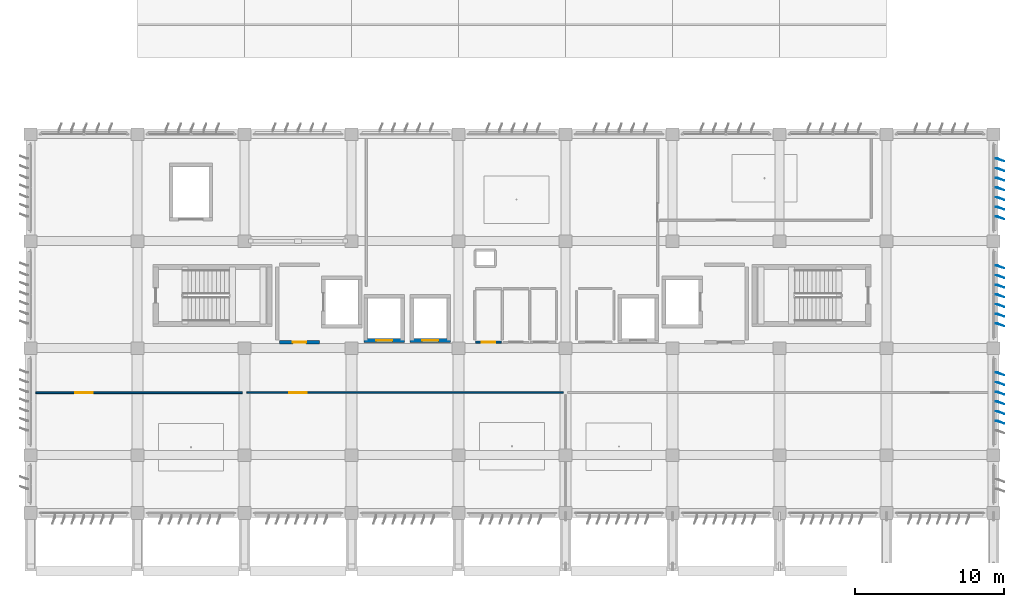
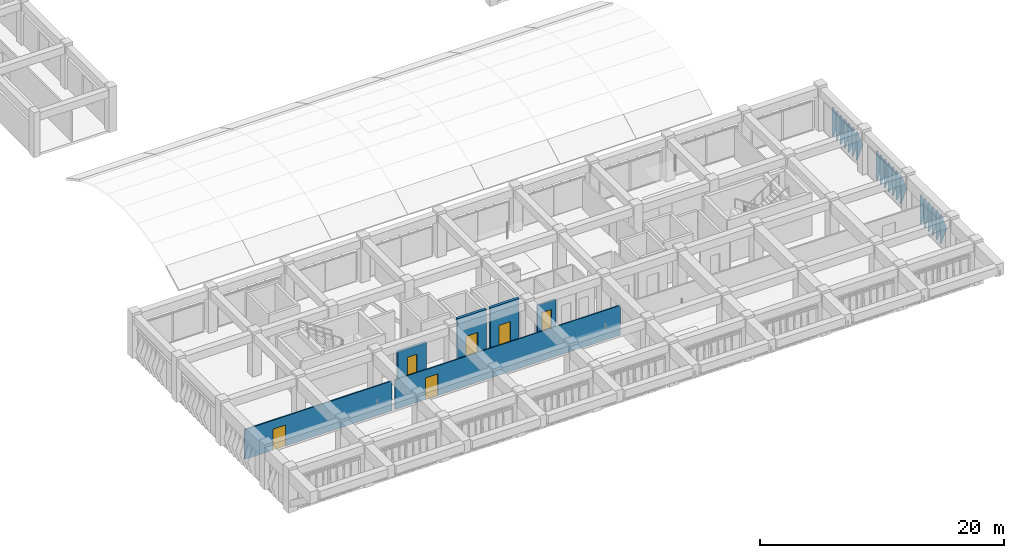
# One storey, part 35 of 56: 20 plates, 6 doors, 6 walls, 6 openings.
"""IFC4 building model written with IfcOpenShell, lengths in metres."""

from ifc_helpers import new_model, si_unit, direction, frame, frame_2d, origin, place, context, subcontext, project, spatial, rectangle, extrude, polygons, material, layer, layer_set, type_object, element, fill, save


model = new_model("IFC4")

# Units and contexts
model_context = context("Model", 3, precision=1e-05, world=origin(), true_north=direction((0.0, 1.0)))
body_context = subcontext(model_context, "Body", "Model", "MODEL_VIEW")
ifc_project = project(units=[si_unit("LENGTHUNIT", "METRE"), si_unit("AREAUNIT", "SQUARE_METRE"), si_unit("VOLUMEUNIT", "CUBIC_METRE"), si_unit("PLANEANGLEUNIT", "RADIAN"), si_unit("MASSUNIT", "GRAM", prefix="KILO")], contexts=[model_context])

# Site, building, storey
site_placement = place(None, origin())
site = spatial("IfcSite", under=ifc_project, at=site_placement, CompositionType="ELEMENT")
building_placement = place(site_placement, origin())
building = spatial("IfcBuilding", under=site, at=building_placement, Name="Kazehaya Institute of Natural Sciences", CompositionType="ELEMENT")
storey_placement = place(building_placement, frame((0.0, 0.0, 24.300048828125)))
storey = spatial("IfcBuildingStorey", under=building, at=storey_placement, Name="L05", CompositionType="ELEMENT", Elevation=24.300048828125)

# Plates
ifc_material_1 = material(Name="Bronze-anodised aluminium alloy A6063S-T5", Category="aluminium")
ifc_layer_1 = layer(ifc_material_1, 0.02001953125, Name="Bronze-anodised aluminium alloy A6063S-T5", Category="aluminium")
ifc_layer_set_1 = layer_set([ifc_layer_1], Name="Bronze-anodised aluminium alloy A6063S-T5")
plate_type = type_object("IfcPlateType", Name="FIN-DF-E1", PredefinedType="USERDEFINED", material=ifc_layer_set_1)
plate_1_placement = place(storey_placement, origin())
element("IfcPlate", 1, at=plate_1_placement, inside=storey, type_object=plate_type, Name="L05 folded diamond-pyramid shading fin FIN-L05-E-0351", ObjectType="SHADING_FIN", PredefinedType="USERDEFINED", context=body_context, shape_type="Tessellation", body=[
    polygons([(119.554931640625, 19.56005859375, 0.0400390625), (119.699951171875, 19.56005859375, 0.0400390625), (120.110107421875, 19.38134765625, 1.5), (119.699951171875, 19.56005859375, 2.9599609375), (119.554931640625, 19.56005859375, 2.9599609375), (119.554931640625, 19.5400390625, 0.0400390625), (119.699951171875, 19.5400390625, 0.0400390625), (120.110107421875, 19.361328125, 1.5), (119.699951171875, 19.5400390625, 2.9599609375), (119.554931640625, 19.5400390625, 2.9599609375)], [[[1, 5, 4, 3, 2]], [[6, 7, 8, 9, 10]], [[1, 2, 7, 6]], [[2, 3, 8, 7]], [[3, 4, 9, 8]], [[4, 5, 10, 9]], [[5, 1, 6, 10]]], closed=True),
])
plate_2_placement = place(storey_placement, origin())
element("IfcPlate", 2, at=plate_2_placement, inside=storey, type_object=plate_type, Name="L05 folded diamond-pyramid shading fin FIN-L05-E-0352", ObjectType="SHADING_FIN", PredefinedType="USERDEFINED", context=body_context, shape_type="Tessellation", body=[
    polygons([(119.554931640625, 18.909912109375, 0.0400390625), (119.699951171875, 18.909912109375, 0.0400390625), (120.110107421875, 18.731201171875, 1.5), (119.699951171875, 18.909912109375, 2.9599609375), (119.554931640625, 18.909912109375, 2.9599609375), (119.554931640625, 18.889892578125, 0.0400390625), (119.699951171875, 18.889892578125, 0.0400390625), (120.110107421875, 18.711181640625, 1.5), (119.699951171875, 18.889892578125, 2.9599609375), (119.554931640625, 18.889892578125, 2.9599609375)], [[[1, 5, 4, 3, 2]], [[6, 7, 8, 9, 10]], [[1, 2, 7, 6]], [[2, 3, 8, 7]], [[3, 4, 9, 8]], [[4, 5, 10, 9]], [[5, 1, 6, 10]]], closed=True),
])
plate_3_placement = place(storey_placement, origin())
element("IfcPlate", 3, at=plate_3_placement, inside=storey, type_object=plate_type, Name="L05 folded diamond-pyramid shading fin FIN-L05-E-0353", ObjectType="SHADING_FIN", PredefinedType="USERDEFINED", context=body_context, shape_type="Tessellation", body=[
    polygons([(119.554931640625, 18.260009765625, 0.0400390625), (119.699951171875, 18.260009765625, 0.0400390625), (120.110107421875, 18.081298828125, 1.5), (119.699951171875, 18.260009765625, 2.9599609375), (119.554931640625, 18.260009765625, 2.9599609375), (119.554931640625, 18.239990234375, 0.0400390625), (119.699951171875, 18.239990234375, 0.0400390625), (120.110107421875, 18.061279296875, 1.5), (119.699951171875, 18.239990234375, 2.9599609375), (119.554931640625, 18.239990234375, 2.9599609375)], [[[1, 5, 4, 3, 2]], [[6, 7, 8, 9, 10]], [[1, 2, 7, 6]], [[2, 3, 8, 7]], [[3, 4, 9, 8]], [[4, 5, 10, 9]], [[5, 1, 6, 10]]], closed=True),
])
plate_4_placement = place(storey_placement, origin())
element("IfcPlate", 4, at=plate_4_placement, inside=storey, type_object=plate_type, Name="L05 folded diamond-pyramid shading fin FIN-L05-E-0354", ObjectType="SHADING_FIN", PredefinedType="USERDEFINED", context=body_context, shape_type="Tessellation", body=[
    polygons([(119.554931640625, 17.610107421875, 0.0400390625), (119.699951171875, 17.610107421875, 0.0400390625), (120.110107421875, 17.431396484375, 1.5), (119.699951171875, 17.610107421875, 2.9599609375), (119.554931640625, 17.610107421875, 2.9599609375), (119.554931640625, 17.590087890625, 0.0400390625), (119.699951171875, 17.590087890625, 0.0400390625), (120.110107421875, 17.411376953125, 1.5), (119.699951171875, 17.590087890625, 2.9599609375), (119.554931640625, 17.590087890625, 2.9599609375)], [[[1, 5, 4, 3, 2]], [[6, 7, 8, 9, 10]], [[1, 2, 7, 6]], [[2, 3, 8, 7]], [[3, 4, 9, 8]], [[4, 5, 10, 9]], [[5, 1, 6, 10]]], closed=True),
])
plate_5_placement = place(storey_placement, origin())
element("IfcPlate", 5, at=plate_5_placement, inside=storey, type_object=plate_type, Name="L05 folded diamond-pyramid shading fin FIN-L05-E-0355", ObjectType="SHADING_FIN", PredefinedType="USERDEFINED", context=body_context, shape_type="Tessellation", body=[
    polygons([(119.554931640625, 16.9599609375, 0.0400390625), (119.699951171875, 16.9599609375, 0.0400390625), (120.110107421875, 16.78125, 1.5), (119.699951171875, 16.9599609375, 2.9599609375), (119.554931640625, 16.9599609375, 2.9599609375), (119.554931640625, 16.93994140625, 0.0400390625), (119.699951171875, 16.93994140625, 0.0400390625), (120.110107421875, 16.76123046875, 1.5), (119.699951171875, 16.93994140625, 2.9599609375), (119.554931640625, 16.93994140625, 2.9599609375)], [[[1, 5, 4, 3, 2]], [[6, 7, 8, 9, 10]], [[1, 2, 7, 6]], [[2, 3, 8, 7]], [[3, 4, 9, 8]], [[4, 5, 10, 9]], [[5, 1, 6, 10]]], closed=True),
])
plate_6_placement = place(storey_placement, origin())
element("IfcPlate", 6, at=plate_6_placement, inside=storey, type_object=plate_type, Name="L05 folded diamond-pyramid shading fin FIN-L05-E-0356", ObjectType="SHADING_FIN", PredefinedType="USERDEFINED", context=body_context, shape_type="Tessellation", body=[
    polygons([(119.554931640625, 16.31005859375, 0.0400390625), (119.699951171875, 16.31005859375, 0.0400390625), (120.110107421875, 16.13134765625, 1.5), (119.699951171875, 16.31005859375, 2.9599609375), (119.554931640625, 16.31005859375, 2.9599609375), (119.554931640625, 16.2900390625, 0.0400390625), (119.699951171875, 16.2900390625, 0.0400390625), (120.110107421875, 16.111328125, 1.5), (119.699951171875, 16.2900390625, 2.9599609375), (119.554931640625, 16.2900390625, 2.9599609375)], [[[1, 5, 4, 3, 2]], [[6, 7, 8, 9, 10]], [[1, 2, 7, 6]], [[2, 3, 8, 7]], [[3, 4, 9, 8]], [[4, 5, 10, 9]], [[5, 1, 6, 10]]], closed=True),
])
plate_7_placement = place(storey_placement, origin())
element("IfcPlate", 7, at=plate_7_placement, inside=storey, type_object=plate_type, Name="L05 folded diamond-pyramid shading fin FIN-L05-E-0365", ObjectType="SHADING_FIN", PredefinedType="USERDEFINED", context=body_context, shape_type="Tessellation", body=[
    polygons([(119.554931640625, 26.760009765625, 0.0400390625), (119.699951171875, 26.760009765625, 0.0400390625), (120.110107421875, 26.581298828125, 1.5), (119.699951171875, 26.760009765625, 2.9599609375), (119.554931640625, 26.760009765625, 2.9599609375), (119.554931640625, 26.739990234375, 0.0400390625), (119.699951171875, 26.739990234375, 0.0400390625), (120.110107421875, 26.561279296875, 1.5), (119.699951171875, 26.739990234375, 2.9599609375), (119.554931640625, 26.739990234375, 2.9599609375)], [[[1, 5, 4, 3, 2]], [[6, 7, 8, 9, 10]], [[1, 2, 7, 6]], [[2, 3, 8, 7]], [[3, 4, 9, 8]], [[4, 5, 10, 9]], [[5, 1, 6, 10]]], closed=True),
])
plate_8_placement = place(storey_placement, origin())
element("IfcPlate", 8, at=plate_8_placement, inside=storey, type_object=plate_type, Name="L05 folded diamond-pyramid shading fin FIN-L05-E-0366", ObjectType="SHADING_FIN", PredefinedType="USERDEFINED", context=body_context, shape_type="Tessellation", body=[
    polygons([(119.554931640625, 26.110107421875, 0.0400390625), (119.699951171875, 26.110107421875, 0.0400390625), (120.110107421875, 25.931396484375, 1.5), (119.699951171875, 26.110107421875, 2.9599609375), (119.554931640625, 26.110107421875, 2.9599609375), (119.554931640625, 26.090087890625, 0.0400390625), (119.699951171875, 26.090087890625, 0.0400390625), (120.110107421875, 25.911376953125, 1.5), (119.699951171875, 26.090087890625, 2.9599609375), (119.554931640625, 26.090087890625, 2.9599609375)], [[[1, 5, 4, 3, 2]], [[6, 7, 8, 9, 10]], [[1, 2, 7, 6]], [[2, 3, 8, 7]], [[3, 4, 9, 8]], [[4, 5, 10, 9]], [[5, 1, 6, 10]]], closed=True),
])
plate_9_placement = place(storey_placement, origin())
element("IfcPlate", 9, at=plate_9_placement, inside=storey, type_object=plate_type, Name="L05 folded diamond-pyramid shading fin FIN-L05-E-0367", ObjectType="SHADING_FIN", PredefinedType="USERDEFINED", context=body_context, shape_type="Tessellation", body=[
    polygons([(119.554931640625, 25.4599609375, 0.0400390625), (119.699951171875, 25.4599609375, 0.0400390625), (120.110107421875, 25.28125, 1.5), (119.699951171875, 25.4599609375, 2.9599609375), (119.554931640625, 25.4599609375, 2.9599609375), (119.554931640625, 25.43994140625, 0.0400390625), (119.699951171875, 25.43994140625, 0.0400390625), (120.110107421875, 25.26123046875, 1.5), (119.699951171875, 25.43994140625, 2.9599609375), (119.554931640625, 25.43994140625, 2.9599609375)], [[[1, 5, 4, 3, 2]], [[6, 7, 8, 9, 10]], [[1, 2, 7, 6]], [[2, 3, 8, 7]], [[3, 4, 9, 8]], [[4, 5, 10, 9]], [[5, 1, 6, 10]]], closed=True),
])
plate_10_placement = place(storey_placement, origin())
element("IfcPlate", 10, at=plate_10_placement, inside=storey, type_object=plate_type, Name="L05 folded diamond-pyramid shading fin FIN-L05-E-0368", ObjectType="SHADING_FIN", PredefinedType="USERDEFINED", context=body_context, shape_type="Tessellation", body=[
    polygons([(119.554931640625, 24.81005859375, 0.0400390625), (119.699951171875, 24.81005859375, 0.0400390625), (120.110107421875, 24.63134765625, 1.5), (119.699951171875, 24.81005859375, 2.9599609375), (119.554931640625, 24.81005859375, 2.9599609375), (119.554931640625, 24.7900390625, 0.0400390625), (119.699951171875, 24.7900390625, 0.0400390625), (120.110107421875, 24.611328125, 1.5), (119.699951171875, 24.7900390625, 2.9599609375), (119.554931640625, 24.7900390625, 2.9599609375)], [[[1, 5, 4, 3, 2]], [[6, 7, 8, 9, 10]], [[1, 2, 7, 6]], [[2, 3, 8, 7]], [[3, 4, 9, 8]], [[4, 5, 10, 9]], [[5, 1, 6, 10]]], closed=True),
])
plate_11_placement = place(storey_placement, origin())
element("IfcPlate", 11, at=plate_11_placement, inside=storey, type_object=plate_type, Name="L05 folded diamond-pyramid shading fin FIN-L05-E-0369", ObjectType="SHADING_FIN", PredefinedType="USERDEFINED", context=body_context, shape_type="Tessellation", body=[
    polygons([(119.554931640625, 24.159912109375, 0.0400390625), (119.699951171875, 24.159912109375, 0.0400390625), (120.110107421875, 23.981201171875, 1.5), (119.699951171875, 24.159912109375, 2.9599609375), (119.554931640625, 24.159912109375, 2.9599609375), (119.554931640625, 24.139892578125, 0.0400390625), (119.699951171875, 24.139892578125, 0.0400390625), (120.110107421875, 23.961181640625, 1.5), (119.699951171875, 24.139892578125, 2.9599609375), (119.554931640625, 24.139892578125, 2.9599609375)], [[[1, 5, 4, 3, 2]], [[6, 7, 8, 9, 10]], [[1, 2, 7, 6]], [[2, 3, 8, 7]], [[3, 4, 9, 8]], [[4, 5, 10, 9]], [[5, 1, 6, 10]]], closed=True),
])
plate_12_placement = place(storey_placement, origin())
element("IfcPlate", 12, at=plate_12_placement, inside=storey, type_object=plate_type, Name="L05 folded diamond-pyramid shading fin FIN-L05-E-0370", ObjectType="SHADING_FIN", PredefinedType="USERDEFINED", context=body_context, shape_type="Tessellation", body=[
    polygons([(119.554931640625, 23.510009765625, 0.0400390625), (119.699951171875, 23.510009765625, 0.0400390625), (120.110107421875, 23.331298828125, 1.5), (119.699951171875, 23.510009765625, 2.9599609375), (119.554931640625, 23.510009765625, 2.9599609375), (119.554931640625, 23.489990234375, 0.0400390625), (119.699951171875, 23.489990234375, 0.0400390625), (120.110107421875, 23.311279296875, 1.5), (119.699951171875, 23.489990234375, 2.9599609375), (119.554931640625, 23.489990234375, 2.9599609375)], [[[1, 5, 4, 3, 2]], [[6, 7, 8, 9, 10]], [[1, 2, 7, 6]], [[2, 3, 8, 7]], [[3, 4, 9, 8]], [[4, 5, 10, 9]], [[5, 1, 6, 10]]], closed=True),
])
plate_13_placement = place(storey_placement, origin())
element("IfcPlate", 13, at=plate_13_placement, inside=storey, type_object=plate_type, Name="L05 folded diamond-pyramid shading fin FIN-L05-E-0371", ObjectType="SHADING_FIN", PredefinedType="USERDEFINED", context=body_context, shape_type="Tessellation", body=[
    polygons([(119.554931640625, 22.860107421875, 0.0400390625), (119.699951171875, 22.860107421875, 0.0400390625), (120.110107421875, 22.681396484375, 1.5), (119.699951171875, 22.860107421875, 2.9599609375), (119.554931640625, 22.860107421875, 2.9599609375), (119.554931640625, 22.840087890625, 0.0400390625), (119.699951171875, 22.840087890625, 0.0400390625), (120.110107421875, 22.661376953125, 1.5), (119.699951171875, 22.840087890625, 2.9599609375), (119.554931640625, 22.840087890625, 2.9599609375)], [[[1, 5, 4, 3, 2]], [[6, 7, 8, 9, 10]], [[1, 2, 7, 6]], [[2, 3, 8, 7]], [[3, 4, 9, 8]], [[4, 5, 10, 9]], [[5, 1, 6, 10]]], closed=True),
])
plate_14_placement = place(storey_placement, origin())
element("IfcPlate", 14, at=plate_14_placement, inside=storey, type_object=plate_type, Name="L05 folded diamond-pyramid shading fin FIN-L05-E-0379", ObjectType="SHADING_FIN", PredefinedType="USERDEFINED", context=body_context, shape_type="Tessellation", body=[
    polygons([(119.554931640625, 33.9599609375, 0.0400390625), (119.699951171875, 33.9599609375, 0.0400390625), (120.110107421875, 33.78125, 1.5), (119.699951171875, 33.9599609375, 2.9599609375), (119.554931640625, 33.9599609375, 2.9599609375), (119.554931640625, 33.93994140625, 0.0400390625), (119.699951171875, 33.93994140625, 0.0400390625), (120.110107421875, 33.76123046875, 1.5), (119.699951171875, 33.93994140625, 2.9599609375), (119.554931640625, 33.93994140625, 2.9599609375)], [[[1, 5, 4, 3, 2]], [[6, 7, 8, 9, 10]], [[1, 2, 7, 6]], [[2, 3, 8, 7]], [[3, 4, 9, 8]], [[4, 5, 10, 9]], [[5, 1, 6, 10]]], closed=True),
])
plate_15_placement = place(storey_placement, origin())
element("IfcPlate", 15, at=plate_15_placement, inside=storey, type_object=plate_type, Name="L05 folded diamond-pyramid shading fin FIN-L05-E-0380", ObjectType="SHADING_FIN", PredefinedType="USERDEFINED", context=body_context, shape_type="Tessellation", body=[
    polygons([(119.554931640625, 33.31005859375, 0.0400390625), (119.699951171875, 33.31005859375, 0.0400390625), (120.110107421875, 33.13134765625, 1.5), (119.699951171875, 33.31005859375, 2.9599609375), (119.554931640625, 33.31005859375, 2.9599609375), (119.554931640625, 33.2900390625, 0.0400390625), (119.699951171875, 33.2900390625, 0.0400390625), (120.110107421875, 33.111328125, 1.5), (119.699951171875, 33.2900390625, 2.9599609375), (119.554931640625, 33.2900390625, 2.9599609375)], [[[1, 5, 4, 3, 2]], [[6, 7, 8, 9, 10]], [[1, 2, 7, 6]], [[2, 3, 8, 7]], [[3, 4, 9, 8]], [[4, 5, 10, 9]], [[5, 1, 6, 10]]], closed=True),
])
plate_16_placement = place(storey_placement, origin())
element("IfcPlate", 16, at=plate_16_placement, inside=storey, type_object=plate_type, Name="L05 folded diamond-pyramid shading fin FIN-L05-E-0381", ObjectType="SHADING_FIN", PredefinedType="USERDEFINED", context=body_context, shape_type="Tessellation", body=[
    polygons([(119.554931640625, 32.659912109375, 0.0400390625), (119.699951171875, 32.659912109375, 0.0400390625), (120.110107421875, 32.481201171875, 1.5), (119.699951171875, 32.659912109375, 2.9599609375), (119.554931640625, 32.659912109375, 2.9599609375), (119.554931640625, 32.639892578125, 0.0400390625), (119.699951171875, 32.639892578125, 0.0400390625), (120.110107421875, 32.461181640625, 1.5), (119.699951171875, 32.639892578125, 2.9599609375), (119.554931640625, 32.639892578125, 2.9599609375)], [[[1, 5, 4, 3, 2]], [[6, 7, 8, 9, 10]], [[1, 2, 7, 6]], [[2, 3, 8, 7]], [[3, 4, 9, 8]], [[4, 5, 10, 9]], [[5, 1, 6, 10]]], closed=True),
])
plate_17_placement = place(storey_placement, origin())
element("IfcPlate", 17, at=plate_17_placement, inside=storey, type_object=plate_type, Name="L05 folded diamond-pyramid shading fin FIN-L05-E-0382", ObjectType="SHADING_FIN", PredefinedType="USERDEFINED", context=body_context, shape_type="Tessellation", body=[
    polygons([(119.554931640625, 32.010009765625, 0.0400390625), (119.699951171875, 32.010009765625, 0.0400390625), (120.110107421875, 31.831298828125, 1.5), (119.699951171875, 32.010009765625, 2.9599609375), (119.554931640625, 32.010009765625, 2.9599609375), (119.554931640625, 31.989990234375, 0.0400390625), (119.699951171875, 31.989990234375, 0.0400390625), (120.110107421875, 31.811279296875, 1.5), (119.699951171875, 31.989990234375, 2.9599609375), (119.554931640625, 31.989990234375, 2.9599609375)], [[[1, 5, 4, 3, 2]], [[6, 7, 8, 9, 10]], [[1, 2, 7, 6]], [[2, 3, 8, 7]], [[3, 4, 9, 8]], [[4, 5, 10, 9]], [[5, 1, 6, 10]]], closed=True),
])
plate_18_placement = place(storey_placement, origin())
element("IfcPlate", 18, at=plate_18_placement, inside=storey, type_object=plate_type, Name="L05 folded diamond-pyramid shading fin FIN-L05-E-0383", ObjectType="SHADING_FIN", PredefinedType="USERDEFINED", context=body_context, shape_type="Tessellation", body=[
    polygons([(119.554931640625, 31.360107421875, 0.0400390625), (119.699951171875, 31.360107421875, 0.0400390625), (120.110107421875, 31.181396484375, 1.5), (119.699951171875, 31.360107421875, 2.9599609375), (119.554931640625, 31.360107421875, 2.9599609375), (119.554931640625, 31.340087890625, 0.0400390625), (119.699951171875, 31.340087890625, 0.0400390625), (120.110107421875, 31.161376953125, 1.5), (119.699951171875, 31.340087890625, 2.9599609375), (119.554931640625, 31.340087890625, 2.9599609375)], [[[1, 5, 4, 3, 2]], [[6, 7, 8, 9, 10]], [[1, 2, 7, 6]], [[2, 3, 8, 7]], [[3, 4, 9, 8]], [[4, 5, 10, 9]], [[5, 1, 6, 10]]], closed=True),
])
plate_19_placement = place(storey_placement, origin())
element("IfcPlate", 19, at=plate_19_placement, inside=storey, type_object=plate_type, Name="L05 folded diamond-pyramid shading fin FIN-L05-E-0384", ObjectType="SHADING_FIN", PredefinedType="USERDEFINED", context=body_context, shape_type="Tessellation", body=[
    polygons([(119.554931640625, 30.7099609375, 0.0400390625), (119.699951171875, 30.7099609375, 0.0400390625), (120.110107421875, 30.53125, 1.5), (119.699951171875, 30.7099609375, 2.9599609375), (119.554931640625, 30.7099609375, 2.9599609375), (119.554931640625, 30.68994140625, 0.0400390625), (119.699951171875, 30.68994140625, 0.0400390625), (120.110107421875, 30.51123046875, 1.5), (119.699951171875, 30.68994140625, 2.9599609375), (119.554931640625, 30.68994140625, 2.9599609375)], [[[1, 5, 4, 3, 2]], [[6, 7, 8, 9, 10]], [[1, 2, 7, 6]], [[2, 3, 8, 7]], [[3, 4, 9, 8]], [[4, 5, 10, 9]], [[5, 1, 6, 10]]], closed=True),
])
plate_20_placement = place(storey_placement, origin())
element("IfcPlate", 20, at=plate_20_placement, inside=storey, type_object=plate_type, Name="L05 folded diamond-pyramid shading fin FIN-L05-E-0385", ObjectType="SHADING_FIN", PredefinedType="USERDEFINED", context=body_context, shape_type="Tessellation", body=[
    polygons([(119.554931640625, 30.06005859375, 0.0400390625), (119.699951171875, 30.06005859375, 0.0400390625), (120.110107421875, 29.88134765625, 1.5), (119.699951171875, 30.06005859375, 2.9599609375), (119.554931640625, 30.06005859375, 2.9599609375), (119.554931640625, 30.0400390625, 0.0400390625), (119.699951171875, 30.0400390625, 0.0400390625), (120.110107421875, 29.861328125, 1.5), (119.699951171875, 30.0400390625, 2.9599609375), (119.554931640625, 30.0400390625, 2.9599609375)], [[[1, 5, 4, 3, 2]], [[6, 7, 8, 9, 10]], [[1, 2, 7, 6]], [[2, 3, 8, 7]], [[3, 4, 9, 8]], [[4, 5, 10, 9]], [[5, 1, 6, 10]]], closed=True),
])

# Wall, opening, door
ifc_material_2 = material(Name="Concrete Fc36", Category="concrete")
ifc_layer_2 = layer(ifc_material_2, 0.22998046875, Name="Concrete Fc36", Category="concrete")
ifc_layer_set_2 = layer_set([ifc_layer_2], Name="Concrete Fc36")
wall_type_1 = type_object("IfcWallType", Name="WL-FFL-230", PredefinedType="PARTITIONING", material=ifc_layer_set_2)
wall_1_placement = place(storey_placement, frame((74.050048828125, 21.60009765625, 0.0), z_axis=(0.0, 0.0, 1.0), x_axis=(-1.0, 0.0, 0.0)))
wall_1 = element("IfcWall", 21, at=wall_1_placement, inside=storey, type_object=wall_type_1, Name="L05 West Firefighting Lift Lobby partition IW-L05-0254", PredefinedType="PARTITIONING", context=body_context, shape_type="SweptSolid", body=[
    extrude(rectangle(XDim=2.699951171875, YDim=0.22998046875, at=frame_2d((1.35009765625, 0.0))), origin(), (0.0, 0.0, 1.0), 2.97998046875),
])
opening_1_placement = place(wall_1_placement, frame((0.89990234375, 0.0, 0.0)))
opening_1 = element("IfcOpeningElement", 22, at=opening_1_placement, cuts=wall_1, Name="Opening D-L05-0154", PredefinedType="OPENING", context=body_context, shape_type="SweptSolid", body=[
    extrude(rectangle(XDim=0.89990234375, YDim=2.1201171875, at=frame_2d((0.449951171875, 1.06005859375))), frame((0.0, 0.125, 0.0), z_axis=(0.0, -1.0, 0.0), x_axis=(1.0, 0.0, 0.0)), (0.0, 0.0, 1.0), 0.25),
])
ifc_material_3 = material(Name="Fire-rated steel acoustic door", Category="steel")
door_type_1 = type_object("IfcDoorType", Name="DT-FD-02", OperationType="NOTDEFINED", PredefinedType="DOOR", material=ifc_material_3)
door_1_placement = place(opening_1_placement, origin())
door_1 = element("IfcDoor", 23, at=door_1_placement, inside=storey, type_object=door_type_1, Name="L05 West Firefighting Lift Lobby door D-L05-0154", OperationType="SINGLE_SWING_RIGHT", OverallHeight=2.1201171875, OverallWidth=0.89990234375, PredefinedType="DOOR", context=body_context, shape_type="SweptSolid", body=[
    extrude(rectangle(XDim=0.89990234375, YDim=2.1201171875, at=frame_2d((0.449951171875, 1.06005859375))), frame((0.0, 0.02490234375, 0.0), z_axis=(0.0, -1.0, 0.0), x_axis=(1.0, 0.0, 0.0)), (0.0, 0.0, 1.0), 0.050048828125),
])
fill(opening_1, door_1)

ifc_material_4 = material(Name="Lightweight chase partition")
ifc_layer_3 = layer(ifc_material_4, 0.10009765625, Name="Lightweight chase partition")
ifc_layer_set_3 = layer_set([ifc_layer_3], Name="Lightweight chase partition")
wall_type_2 = type_object("IfcWallType", Name="WL-PART-100", PredefinedType="PARTITIONING", material=ifc_layer_set_3)
wall_2_placement = place(storey_placement, frame((69.14990234375, 18.199951171875, 0.0), z_axis=(0.0, 0.0, 1.0), x_axis=(1.0, 0.0, 0.0)))
wall_2 = element("IfcWall", 24, at=wall_2_placement, inside=storey, type_object=wall_type_2, Name="L05 Microbial Ecology Laboratory partition IW-L05-0275", PredefinedType="PARTITIONING", context=body_context, shape_type="SweptSolid", body=[
    extrude(rectangle(XDim=21.300048828125, YDim=0.10009765625, at=frame_2d((10.64990234375, 0.0))), origin(), (0.0, 0.0, 1.0), 2.97998046875),
])
opening_2_placement = place(wall_2_placement, frame((2.85498046875, 0.0, 0.0)))
opening_2 = element("IfcOpeningElement", 25, at=opening_2_placement, cuts=wall_2, Name="Opening D-L05-0161", PredefinedType="OPENING", context=body_context, shape_type="SweptSolid", body=[
    extrude(rectangle(XDim=1.18994140625, YDim=2.159912109375, at=frame_2d((0.594970703125, 1.080078125))), frame((0.0, 0.06005859375, 0.0), z_axis=(0.0, -1.0, 0.0), x_axis=(1.0, 0.0, 0.0)), (0.0, 0.0, 1.0), 0.1201171875),
])
ifc_material_5 = material(Name="Flush timber and aluminium laboratory door", Category="wood")
door_type_2 = type_object("IfcDoorType", Name="DT-INT-35", OperationType="NOTDEFINED", PredefinedType="DOOR", material=ifc_material_5)
door_2_placement = place(opening_2_placement, origin())
door_2 = element("IfcDoor", 26, at=door_2_placement, inside=storey, type_object=door_type_2, Name="L05 Microbial Ecology Laboratory door D-L05-0161", OperationType="SINGLE_SWING_LEFT", OverallHeight=2.159912109375, OverallWidth=1.18994140625, PredefinedType="DOOR", context=body_context, shape_type="SweptSolid", body=[
    extrude(rectangle(XDim=1.18994140625, YDim=2.159912109375, at=frame_2d((0.594970703125, 1.080078125))), frame((0.0, 0.02490234375, 0.0), z_axis=(0.0, -1.0, 0.0), x_axis=(1.0, 0.0, 0.0)), (0.0, 0.0, 1.0), 0.050048828125),
])
fill(opening_2, door_2)

ifc_material_6 = material(Name="Glazed office demountable partition")
ifc_layer_4 = layer(ifc_material_6, 0.110107421875, Name="Glazed office demountable partition")
ifc_layer_set_4 = layer_set([ifc_layer_4], Name="Glazed office demountable partition")
wall_type_3 = type_object("IfcWallType", Name="WL-PART-110", PredefinedType="PARTITIONING", material=ifc_layer_set_4)
wall_3_placement = place(storey_placement, frame((54.949951171875, 18.199951171875, 0.0), z_axis=(0.0, 0.0, 1.0), x_axis=(1.0, 0.0, 0.0)))
wall_3 = element("IfcWall", 27, at=wall_3_placement, inside=storey, type_object=wall_type_3, Name="L05 Biochemistry Research Laboratory partition IW-L05-0274", PredefinedType="PARTITIONING", context=body_context, shape_type="SweptSolid", body=[
    extrude(rectangle(XDim=13.900146484375, YDim=0.110107421875, at=frame_2d((6.9501953125, 0.0))), origin(), (0.0, 0.0, 1.0), 2.97998046875),
])
opening_3_placement = place(wall_3_placement, frame((2.655029296875, 0.0, 0.0)))
opening_3 = element("IfcOpeningElement", 28, at=opening_3_placement, cuts=wall_3, Name="Opening D-L05-0160", PredefinedType="OPENING", context=body_context, shape_type="SweptSolid", body=[
    extrude(rectangle(XDim=1.18994140625, YDim=2.10009765625, at=frame_2d((0.594970703125, 1.050048828125))), frame((0.0, 0.06494140625, 0.0), z_axis=(0.0, -1.0, 0.0), x_axis=(1.0, 0.0, 0.0)), (0.0, 0.0, 1.0), 0.130126953125),
])
door_type_3 = type_object("IfcDoorType", Name="DT-INT-34", OperationType="NOTDEFINED", PredefinedType="DOOR", material=ifc_material_5)
door_3_placement = place(opening_3_placement, origin())
door_3 = element("IfcDoor", 29, at=door_3_placement, inside=storey, type_object=door_type_3, Name="L05 Biochemistry Research Laboratory door D-L05-0160", OperationType="SINGLE_SWING_RIGHT", OverallHeight=2.10009765625, OverallWidth=1.18994140625, PredefinedType="DOOR", context=body_context, shape_type="SweptSolid", body=[
    extrude(rectangle(XDim=1.18994140625, YDim=2.10009765625, at=frame_2d((0.594970703125, 1.050048828125))), frame((0.0, 0.02490234375, 0.0), z_axis=(0.0, -1.0, 0.0), x_axis=(1.0, 0.0, 0.0)), (0.0, 0.0, 1.0), 0.050048828125),
])
fill(opening_3, door_3)

ifc_material_7 = material(Name="Moisture-resistant WC partition")
ifc_layer_5 = layer(ifc_material_7, 0.1298828125, Name="Moisture-resistant WC partition")
ifc_layer_set_5 = layer_set([ifc_layer_5], Name="Moisture-resistant WC partition")
wall_type_4 = type_object("IfcWallType", Name="WL-PART-130", PredefinedType="PARTITIONING", material=ifc_layer_set_5)
wall_4_placement = place(storey_placement, frame((86.2900390625, 21.60009765625, 0.0), z_axis=(0.0, 0.0, 1.0), x_axis=(-1.0, 0.0, 0.0)))
wall_4 = element("IfcWall", 30, at=wall_4_placement, inside=storey, type_object=wall_type_4, Name="L05 Male WC partition IW-L05-0260", PredefinedType="PARTITIONING", context=body_context, shape_type="SweptSolid", body=[
    extrude(rectangle(XDim=1.72998046875, YDim=0.1298828125, at=frame_2d((0.864990234375, 0.0))), origin(), (0.0, 0.0, 1.0), 2.97998046875),
])
opening_4_placement = place(wall_4_placement, frame((0.419921875, 0.0, 0.0)))
opening_4 = element("IfcOpeningElement", 31, at=opening_4_placement, cuts=wall_4, Name="Opening D-L05-0156", PredefinedType="OPENING", context=body_context, shape_type="SweptSolid", body=[
    extrude(rectangle(XDim=0.89990234375, YDim=2.10009765625, at=frame_2d((0.449951171875, 1.050048828125))), frame((0.0, 0.074951171875, 0.0), z_axis=(0.0, -1.0, 0.0), x_axis=(1.0, 0.0, 0.0)), (0.0, 0.0, 1.0), 0.14990234375),
])
door_type_4 = type_object("IfcDoorType", Name="DT-INT-02", OperationType="NOTDEFINED", PredefinedType="DOOR", material=ifc_material_5)
door_4_placement = place(opening_4_placement, origin())
door_4 = element("IfcDoor", 32, at=door_4_placement, inside=storey, type_object=door_type_4, Name="L05 Male WC door D-L05-0156", OperationType="SINGLE_SWING_RIGHT", OverallHeight=2.10009765625, OverallWidth=0.89990234375, PredefinedType="DOOR", context=body_context, shape_type="SweptSolid", body=[
    extrude(rectangle(XDim=0.89990234375, YDim=2.10009765625, at=frame_2d((0.449951171875, 1.050048828125))), frame((0.0, 0.02490234375, 0.0), z_axis=(0.0, -1.0, 0.0), x_axis=(1.0, 0.0, 0.0)), (0.0, 0.0, 1.0), 0.050048828125),
])
fill(opening_4, door_4)

ifc_material_8 = material(Name="Concrete Fc42", Category="concrete")
ifc_layer_6 = layer(ifc_material_8, 0.25, Name="Concrete Fc42", Category="concrete")
ifc_layer_set_6 = layer_set([ifc_layer_6], Name="Concrete Fc42")
wall_type_5 = type_object("IfcWallType", Name="WL-SHAFT-250", PredefinedType="SHEAR", material=ifc_layer_set_6)
wall_5_placement = place(storey_placement, frame((79.760009765625, 21.715087890625, 0.0), z_axis=(0.0, 0.0, 1.0), x_axis=(-1.0, 0.0, 0.0)))
wall_5 = element("IfcWall", 33, at=wall_5_placement, inside=storey, type_object=wall_type_5, Name="L05 EL01 lift shaft wall south", PredefinedType="SHEAR", context=body_context, shape_type="SweptSolid", body=[
    extrude(rectangle(XDim=2.719970703125, YDim=0.25, at=frame_2d((1.35986328125, 0.0))), origin(), (0.0, 0.0, 1.0), 4.22998046875),
])
opening_5_placement = place(wall_5_placement, frame((0.81005859375, 0.0, 0.0)))
opening_5 = element("IfcOpeningElement", 34, at=opening_5_placement, cuts=wall_5, Name="Opening LD-29", PredefinedType="OPENING", context=body_context, shape_type="SweptSolid", body=[
    extrude(rectangle(XDim=1.10009765625, YDim=2.199951171875, at=frame_2d((0.550048828125, 1.10009765625))), frame((0.0, 0.135009765625, 0.0), z_axis=(0.0, -1.0, 0.0), x_axis=(1.0, 0.0, 0.0)), (0.0, 0.0, 1.0), 0.27001953125),
])
ifc_material_9 = material(Name="Stainless-steel sliding landing door", Category="steel")
door_type_5 = type_object("IfcDoorType", Name="DT-LD-1100x2200", OperationType="SLIDING_TO_LEFT", PredefinedType="DOOR", material=ifc_material_9)
door_5_placement = place(opening_5_placement, origin())
door_5 = element("IfcDoor", 35, at=door_5_placement, inside=storey, type_object=door_type_5, Name="L05 EL01 sliding landing door LD-29", OperationType="SLIDING_TO_LEFT", OverallHeight=2.199951171875, OverallWidth=1.10009765625, PredefinedType="DOOR", context=body_context, shape_type="SweptSolid", body=[
    extrude(rectangle(XDim=1.10009765625, YDim=2.199951171875, at=frame_2d((0.550048828125, 1.10009765625))), frame((0.0, 0.02490234375, 0.0), z_axis=(0.0, -1.0, 0.0), x_axis=(1.0, 0.0, 0.0)), (0.0, 0.0, 1.0), 0.050048828125),
])
fill(opening_5, door_5)

wall_6_placement = place(storey_placement, frame((82.860107421875, 21.715087890625, 0.0), z_axis=(0.0, 0.0, 1.0), x_axis=(-1.0, 0.0, 0.0)))
wall_6 = element("IfcWall", 36, at=wall_6_placement, inside=storey, type_object=wall_type_5, Name="L05 EL02 lift shaft wall south", PredefinedType="SHEAR", context=body_context, shape_type="SweptSolid", body=[
    extrude(rectangle(XDim=2.72021484375, YDim=0.25, at=frame_2d((1.360107421875, 0.0))), origin(), (0.0, 0.0, 1.0), 4.22998046875),
])
opening_6_placement = place(wall_6_placement, frame((0.81005859375, 0.0, 0.0)))
opening_6 = element("IfcOpeningElement", 37, at=opening_6_placement, cuts=wall_6, Name="Opening LD-40", PredefinedType="OPENING", context=body_context, shape_type="SweptSolid", body=[
    extrude(rectangle(XDim=1.10009765625, YDim=2.199951171875, at=frame_2d((0.550048828125, 1.10009765625))), frame((0.0, 0.135009765625, 0.0), z_axis=(0.0, -1.0, 0.0), x_axis=(1.0, 0.0, 0.0)), (0.0, 0.0, 1.0), 0.27001953125),
])
door_6_placement = place(opening_6_placement, origin())
door_6 = element("IfcDoor", 38, at=door_6_placement, inside=storey, type_object=door_type_5, Name="L05 EL02 sliding landing door LD-40", OperationType="SLIDING_TO_LEFT", OverallHeight=2.199951171875, OverallWidth=1.10009765625, PredefinedType="DOOR", context=body_context, shape_type="SweptSolid", body=[
    extrude(rectangle(XDim=1.10009765625, YDim=2.199951171875, at=frame_2d((0.550048828125, 1.10009765625))), frame((0.0, 0.02490234375, 0.0), z_axis=(0.0, -1.0, 0.0), x_axis=(1.0, 0.0, 0.0)), (0.0, 0.0, 1.0), 0.050048828125),
])
fill(opening_6, door_6)

save(model, "model.ifc")
